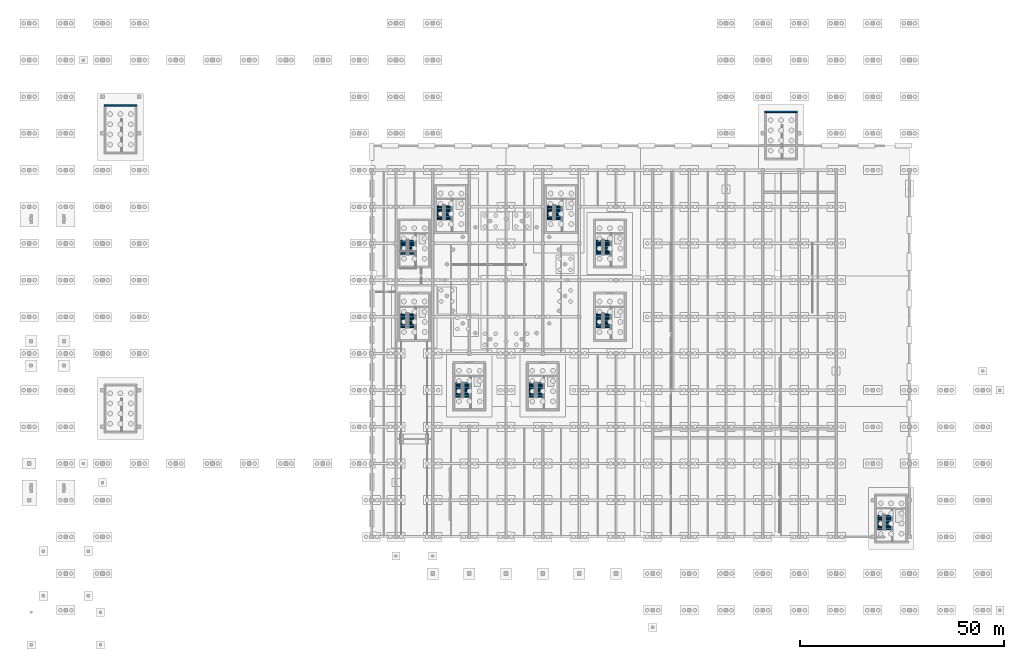
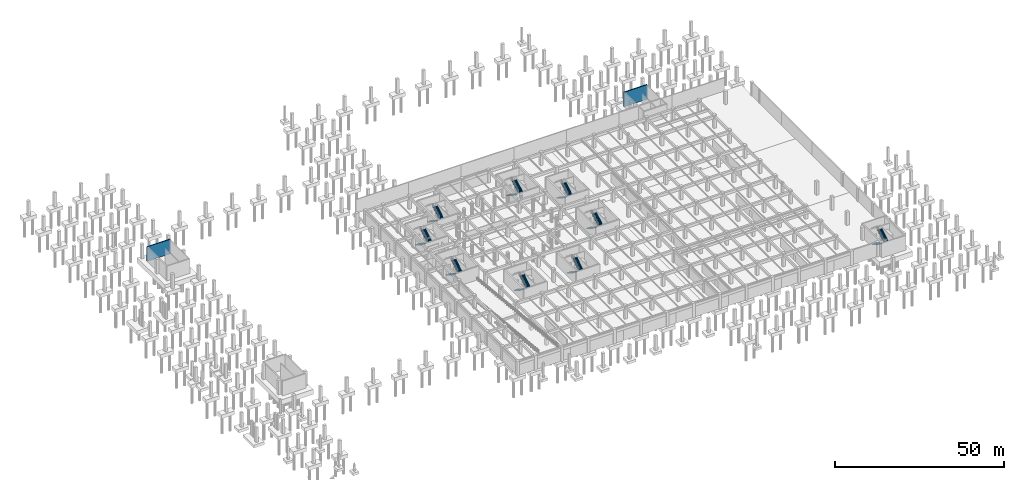
# One storey, part 22 of 27: 18 stair flights, 2 walls, 9 elements without a shape of their own.
"""IFC4 building model written with IfcOpenShell, lengths in metres."""

from ifc_helpers import new_model, si_unit, direction, frame, frame_2d, origin, place, context, subcontext, project, spatial, polyline, rectangle, outline, extrude, material, layer, layer_set, type_object, element, aggregate, save


model = new_model("IFC4")

# Units and contexts
model_context = context("Model", 3, precision=1e-05, world=origin(), true_north=direction((0.0, 1.0)))
body_context = subcontext(model_context, "Body", "Model", "MODEL_VIEW")
ifc_project = project(units=[si_unit("LENGTHUNIT", "METRE"), si_unit("AREAUNIT", "SQUARE_METRE"), si_unit("VOLUMEUNIT", "CUBIC_METRE"), si_unit("PLANEANGLEUNIT", "RADIAN"), si_unit("MASSUNIT", "GRAM", prefix="KILO")], contexts=[model_context])

# Site, building, storey
site_placement = place(None, origin())
site = spatial("IfcSite", under=ifc_project, at=site_placement, CompositionType="ELEMENT")
building_placement = place(site_placement, origin())
building = spatial("IfcBuilding", under=site, at=building_placement, Name="Dornveld Trade and Exhibition Forum", CompositionType="ELEMENT")
storey_placement = place(building_placement, frame((0.0, 0.0, -4.800048828125)))
storey = spatial("IfcBuildingStorey", under=building, at=storey_placement, Name="B1", CompositionType="ELEMENT", Elevation=-4.800048828125)

# Walls
ifc_material_1 = material(Name="Concrete C40/50", Category="concrete")
ifc_layer_1 = layer(ifc_material_1, 0.35009765625)
ifc_layer_set_1 = layer_set([ifc_layer_1], Name="Concrete C40/50")
wall_type = type_object("IfcWallType", Name="WL-CORE-350", PredefinedType="SHEAR", material=ifc_layer_set_1)
wall_1_placement = place(storey_placement, frame((18.425048828125, 123.800048828125, -0.449951171875), z_axis=(0.0, 0.0, 1.0), x_axis=(1.0, 0.0, 0.0)))
element("IfcWall", 1, at=wall_1_placement, inside=storey, type_object=wall_type, Name="CORE-10 B1 shear wall N", PredefinedType="SHEAR", context=body_context, shape_type="SweptSolid", body=[
    extrude(rectangle(XDim=7.949951171875, YDim=0.35009765625, at=frame_2d((3.97509765625, 0.0))), origin(), (0.0, 0.0, 1.0), 5.25),
])
wall_2_placement = place(storey_placement, frame((180.52490234375, 122.300048828125, -0.449951171875), z_axis=(0.0, 0.0, 1.0), x_axis=(1.0, 0.0, 0.0)))
element("IfcWall", 2, at=wall_2_placement, inside=storey, type_object=wall_type, Name="CORE-12 B1 shear wall N", PredefinedType="SHEAR", context=body_context, shape_type="SweptSolid", body=[
    extrude(rectangle(XDim=7.9501953125, YDim=0.35009765625, at=frame_2d((3.97509765625, 0.0))), origin(), (0.0, 0.0, 1.0), 5.25),
])

# Stair, stair flights
ifc_material_2 = material(Name="Concrete C40/50", Category="concrete")
stair_type_1 = type_object("IfcStairType", Name="ST-2RET-480A", PredefinedType="HALF_TURN_STAIR", material=ifc_material_2)
stair_1_placement = place(storey_placement, origin())
stair_1 = element("IfcStair", 3, at=stair_1_placement, inside=storey, type_object=stair_type_1, Name="CORE-01 escape stair B1 to L00", PredefinedType="HALF_TURN_STAIR")
ifc_material_3 = material(Name="Concrete C40/50", Category="concrete")
ifc_layer_2 = layer(ifc_material_3, 0.179931640625)
ifc_layer_set_2 = layer_set([ifc_layer_2], Name="Concrete C40/50")
stair_flight_type_1 = type_object("IfcStairFlightType", Name="STF-155", PredefinedType="STRAIGHT", material=ifc_layer_set_2)
stair_flight_1_placement = place(storey_placement, frame((139.8798828125, 90.85009765625, 0.0), z_axis=(0.0, 0.0, 1.0), x_axis=(0.0, -1.0, 0.0)))
stair_flight_1 = element("IfcStairFlight", 4, at=stair_flight_1_placement, type_object=stair_flight_type_1, Name="ST-01-B1 flight 1", NumberOfRisers=14, NumberOfTreads=13, PredefinedType="STRAIGHT", RiserHeight=0.171428571, TreadLength=0.28, context=body_context, shape_type="SweptSolid", body=[
    extrude(outline(polyline([(0.0, 0.0), (0.0, 0.17138671875), (0.280029296875, 0.17138671875), (0.280029296875, 0.3427734375), (0.56005859375, 0.3427734375), (0.56005859375, 0.514404296875), (0.840087890625, 0.514404296875), (0.840087890625, 0.685791015625), (1.1201171875, 0.685791015625), (1.1201171875, 0.857177734375), (1.39990234375, 0.857177734375), (1.39990234375, 1.028564453125), (1.679931640625, 1.028564453125), (1.679931640625, 1.199951171875), (1.9599609375, 1.199951171875), (1.9599609375, 1.371337890625), (2.239990234375, 1.371337890625), (2.239990234375, 1.54296875), (2.52001953125, 1.54296875), (2.52001953125, 1.71435546875), (2.800048828125, 1.71435546875), (2.800048828125, 1.8857421875), (3.080078125, 1.8857421875), (3.080078125, 2.05712890625), (3.360107421875, 2.05712890625), (3.360107421875, 2.228515625), (3.639892578125, 2.228515625), (3.639892578125, 2.39990234375), (3.639892578125, 2.041015625), (0.30615234375, 0.0), (0.0, 0.0)])), frame((0.0, 0.77490234375, 0.0), z_axis=(0.0, -1.0, 0.0), x_axis=(1.0, 0.0, 0.0)), (0.0, 0.0, 1.0), 1.550048828125),
])
stair_flight_2_placement = place(storey_placement, frame((141.820068359375, 87.2099609375, 2.400146484375), z_axis=(0.0, 0.0, 1.0), x_axis=(0.0, 1.0, 0.0)))
stair_flight_2 = element("IfcStairFlight", 5, at=stair_flight_2_placement, type_object=stair_flight_type_1, Name="ST-01-B1 flight 2", NumberOfRisers=14, NumberOfTreads=13, PredefinedType="STRAIGHT", RiserHeight=0.171428571, TreadLength=0.28, context=body_context, shape_type="SweptSolid", body=[
    extrude(outline(polyline([(0.0, 0.0), (0.0, 0.17138671875), (0.280029296875, 0.17138671875), (0.280029296875, 0.3427734375), (0.56005859375, 0.3427734375), (0.56005859375, 0.514404296875), (0.840087890625, 0.514404296875), (0.840087890625, 0.685791015625), (1.1201171875, 0.685791015625), (1.1201171875, 0.857177734375), (1.39990234375, 0.857177734375), (1.39990234375, 1.028564453125), (1.679931640625, 1.028564453125), (1.679931640625, 1.199951171875), (1.9599609375, 1.199951171875), (1.9599609375, 1.371337890625), (2.239990234375, 1.371337890625), (2.239990234375, 1.54296875), (2.52001953125, 1.54296875), (2.52001953125, 1.71435546875), (2.800048828125, 1.71435546875), (2.800048828125, 1.8857421875), (3.080078125, 1.8857421875), (3.080078125, 2.05712890625), (3.360107421875, 2.05712890625), (3.360107421875, 2.228515625), (3.639892578125, 2.228515625), (3.639892578125, 2.39990234375), (3.639892578125, 2.041015625), (0.30615234375, 0.0), (0.0, 0.0)])), frame((0.0, 0.77490234375, 0.0), z_axis=(0.0, -1.0, 0.0), x_axis=(1.0, 0.0, 0.0)), (0.0, 0.0, 1.0), 1.550048828125),
])
aggregate(stair_1, [stair_flight_1, stair_flight_2])

stair_2_placement = place(storey_placement, origin())
stair_2 = element("IfcStair", 6, at=stair_2_placement, inside=storey, type_object=stair_type_1, Name="CORE-03 escape stair B1 to L00", PredefinedType="HALF_TURN_STAIR")
stair_flight_3_placement = place(storey_placement, frame((100.8798828125, 99.35009765625, 0.0), z_axis=(0.0, 0.0, 1.0), x_axis=(0.0, -1.0, 0.0)))
stair_flight_3 = element("IfcStairFlight", 7, at=stair_flight_3_placement, type_object=stair_flight_type_1, Name="ST-03-B1 flight 1", NumberOfRisers=14, NumberOfTreads=13, PredefinedType="STRAIGHT", RiserHeight=0.171428571, TreadLength=0.28, context=body_context, shape_type="SweptSolid", body=[
    extrude(outline(polyline([(0.0, 0.0), (0.0, 0.17138671875), (0.280029296875, 0.17138671875), (0.280029296875, 0.3427734375), (0.56005859375, 0.3427734375), (0.56005859375, 0.514404296875), (0.840087890625, 0.514404296875), (0.840087890625, 0.685791015625), (1.1201171875, 0.685791015625), (1.1201171875, 0.857177734375), (1.39990234375, 0.857177734375), (1.39990234375, 1.028564453125), (1.679931640625, 1.028564453125), (1.679931640625, 1.199951171875), (1.9599609375, 1.199951171875), (1.9599609375, 1.371337890625), (2.239990234375, 1.371337890625), (2.239990234375, 1.54296875), (2.52001953125, 1.54296875), (2.52001953125, 1.71435546875), (2.800048828125, 1.71435546875), (2.800048828125, 1.8857421875), (3.080078125, 1.8857421875), (3.080078125, 2.05712890625), (3.360107421875, 2.05712890625), (3.360107421875, 2.228515625), (3.639892578125, 2.228515625), (3.639892578125, 2.39990234375), (3.639892578125, 2.041015625), (0.30615234375, 0.0), (0.0, 0.0)])), frame((0.0, 0.77490234375, 0.0), z_axis=(0.0, -1.0, 0.0), x_axis=(1.0, 0.0, 0.0)), (0.0, 0.0, 1.0), 1.550048828125),
])
stair_flight_4_placement = place(storey_placement, frame((102.820068359375, 95.7099609375, 2.400146484375), z_axis=(0.0, 0.0, 1.0), x_axis=(0.0, 1.0, 0.0)))
stair_flight_4 = element("IfcStairFlight", 8, at=stair_flight_4_placement, type_object=stair_flight_type_1, Name="ST-03-B1 flight 2", NumberOfRisers=14, NumberOfTreads=13, PredefinedType="STRAIGHT", RiserHeight=0.171428571, TreadLength=0.28, context=body_context, shape_type="SweptSolid", body=[
    extrude(outline(polyline([(0.0, 0.0), (0.0, 0.17138671875), (0.280029296875, 0.17138671875), (0.280029296875, 0.3427734375), (0.56005859375, 0.3427734375), (0.56005859375, 0.514404296875), (0.840087890625, 0.514404296875), (0.840087890625, 0.685791015625), (1.1201171875, 0.685791015625), (1.1201171875, 0.857177734375), (1.39990234375, 0.857177734375), (1.39990234375, 1.028564453125), (1.679931640625, 1.028564453125), (1.679931640625, 1.199951171875), (1.9599609375, 1.199951171875), (1.9599609375, 1.371337890625), (2.239990234375, 1.371337890625), (2.239990234375, 1.54296875), (2.52001953125, 1.54296875), (2.52001953125, 1.71435546875), (2.800048828125, 1.71435546875), (2.800048828125, 1.8857421875), (3.080078125, 1.8857421875), (3.080078125, 2.05712890625), (3.360107421875, 2.05712890625), (3.360107421875, 2.228515625), (3.639892578125, 2.228515625), (3.639892578125, 2.39990234375), (3.639892578125, 2.041015625), (0.30615234375, 0.0), (0.0, 0.0)])), frame((0.0, 0.77490234375, 0.0), z_axis=(0.0, -1.0, 0.0), x_axis=(1.0, 0.0, 0.0)), (0.0, 0.0, 1.0), 1.550048828125),
])
aggregate(stair_2, [stair_flight_3, stair_flight_4])

stair_3_placement = place(storey_placement, origin())
stair_3 = element("IfcStair", 9, at=stair_3_placement, inside=storey, type_object=stair_type_1, Name="CORE-05 escape stair B1 to L00", PredefinedType="HALF_TURN_STAIR")
stair_flight_5_placement = place(storey_placement, frame((91.8798828125, 72.85009765625, 0.0), z_axis=(0.0, 0.0, 1.0), x_axis=(0.0, -1.0, 0.0)))
stair_flight_5 = element("IfcStairFlight", 10, at=stair_flight_5_placement, type_object=stair_flight_type_1, Name="ST-05-B1 flight 1", NumberOfRisers=14, NumberOfTreads=13, PredefinedType="STRAIGHT", RiserHeight=0.171428571, TreadLength=0.28, context=body_context, shape_type="SweptSolid", body=[
    extrude(outline(polyline([(0.0, 0.0), (0.0, 0.17138671875), (0.280029296875, 0.17138671875), (0.280029296875, 0.3427734375), (0.56005859375, 0.3427734375), (0.56005859375, 0.514404296875), (0.840087890625, 0.514404296875), (0.840087890625, 0.685791015625), (1.1201171875, 0.685791015625), (1.1201171875, 0.857177734375), (1.39990234375, 0.857177734375), (1.39990234375, 1.028564453125), (1.679931640625, 1.028564453125), (1.679931640625, 1.199951171875), (1.9599609375, 1.199951171875), (1.9599609375, 1.371337890625), (2.239990234375, 1.371337890625), (2.239990234375, 1.54296875), (2.52001953125, 1.54296875), (2.52001953125, 1.71435546875), (2.800048828125, 1.71435546875), (2.800048828125, 1.8857421875), (3.080078125, 1.8857421875), (3.080078125, 2.05712890625), (3.360107421875, 2.05712890625), (3.360107421875, 2.228515625), (3.639892578125, 2.228515625), (3.639892578125, 2.39990234375), (3.639892578125, 2.041015625), (0.30615234375, 0.0), (0.0, 0.0)])), frame((0.0, 0.77490234375, 0.0), z_axis=(0.0, -1.0, 0.0), x_axis=(1.0, 0.0, 0.0)), (0.0, 0.0, 1.0), 1.550048828125),
])
stair_flight_6_placement = place(storey_placement, frame((93.820068359375, 69.2099609375, 2.400146484375), z_axis=(0.0, 0.0, 1.0), x_axis=(0.0, 1.0, 0.0)))
stair_flight_6 = element("IfcStairFlight", 11, at=stair_flight_6_placement, type_object=stair_flight_type_1, Name="ST-05-B1 flight 2", NumberOfRisers=14, NumberOfTreads=13, PredefinedType="STRAIGHT", RiserHeight=0.171428571, TreadLength=0.28, context=body_context, shape_type="SweptSolid", body=[
    extrude(outline(polyline([(0.0, 0.0), (0.0, 0.17138671875), (0.280029296875, 0.17138671875), (0.280029296875, 0.3427734375), (0.56005859375, 0.3427734375), (0.56005859375, 0.514404296875), (0.840087890625, 0.514404296875), (0.840087890625, 0.685791015625), (1.1201171875, 0.685791015625), (1.1201171875, 0.857177734375), (1.39990234375, 0.857177734375), (1.39990234375, 1.028564453125), (1.679931640625, 1.028564453125), (1.679931640625, 1.199951171875), (1.9599609375, 1.199951171875), (1.9599609375, 1.371337890625), (2.239990234375, 1.371337890625), (2.239990234375, 1.54296875), (2.52001953125, 1.54296875), (2.52001953125, 1.71435546875), (2.800048828125, 1.71435546875), (2.800048828125, 1.8857421875), (3.080078125, 1.8857421875), (3.080078125, 2.05712890625), (3.360107421875, 2.05712890625), (3.360107421875, 2.228515625), (3.639892578125, 2.228515625), (3.639892578125, 2.39990234375), (3.639892578125, 2.041015625), (0.30615234375, 0.0), (0.0, 0.0)])), frame((0.0, 0.77490234375, 0.0), z_axis=(0.0, -1.0, 0.0), x_axis=(1.0, 0.0, 0.0)), (0.0, 0.0, 1.0), 1.550048828125),
])
aggregate(stair_3, [stair_flight_5, stair_flight_6])

stair_4_placement = place(storey_placement, origin())
stair_4 = element("IfcStair", 12, at=stair_4_placement, inside=storey, type_object=stair_type_1, Name="CORE-07 escape stair B1 to L00", PredefinedType="HALF_TURN_STAIR")
stair_flight_7_placement = place(storey_placement, frame((123.3798828125, 55.85009765625, 0.0), z_axis=(0.0, 0.0, 1.0), x_axis=(0.0, -1.0, 0.0)))
stair_flight_7 = element("IfcStairFlight", 13, at=stair_flight_7_placement, type_object=stair_flight_type_1, Name="ST-07-B1 flight 1", NumberOfRisers=14, NumberOfTreads=13, PredefinedType="STRAIGHT", RiserHeight=0.171428571, TreadLength=0.28, context=body_context, shape_type="SweptSolid", body=[
    extrude(outline(polyline([(0.0, 0.0), (0.0, 0.17138671875), (0.280029296875, 0.17138671875), (0.280029296875, 0.3427734375), (0.56005859375, 0.3427734375), (0.56005859375, 0.514404296875), (0.840087890625, 0.514404296875), (0.840087890625, 0.685791015625), (1.1201171875, 0.685791015625), (1.1201171875, 0.857177734375), (1.39990234375, 0.857177734375), (1.39990234375, 1.028564453125), (1.679931640625, 1.028564453125), (1.679931640625, 1.199951171875), (1.9599609375, 1.199951171875), (1.9599609375, 1.371337890625), (2.239990234375, 1.371337890625), (2.239990234375, 1.54296875), (2.52001953125, 1.54296875), (2.52001953125, 1.71435546875), (2.800048828125, 1.71435546875), (2.800048828125, 1.8857421875), (3.080078125, 1.8857421875), (3.080078125, 2.05712890625), (3.360107421875, 2.05712890625), (3.360107421875, 2.228515625), (3.639892578125, 2.228515625), (3.639892578125, 2.39990234375), (3.639892578125, 2.041015625), (0.30615234375, 0.0), (0.0, 0.0)])), frame((0.0, 0.77490234375, 0.0), z_axis=(0.0, -1.0, 0.0), x_axis=(1.0, 0.0, 0.0)), (0.0, 0.0, 1.0), 1.550048828125),
])
stair_flight_8_placement = place(storey_placement, frame((125.320068359375, 52.2099609375, 2.400146484375), z_axis=(0.0, 0.0, 1.0), x_axis=(0.0, 1.0, 0.0)))
stair_flight_8 = element("IfcStairFlight", 14, at=stair_flight_8_placement, type_object=stair_flight_type_1, Name="ST-07-B1 flight 2", NumberOfRisers=14, NumberOfTreads=13, PredefinedType="STRAIGHT", RiserHeight=0.171428571, TreadLength=0.28, context=body_context, shape_type="SweptSolid", body=[
    extrude(outline(polyline([(0.0, 0.0), (0.0, 0.17138671875), (0.280029296875, 0.17138671875), (0.280029296875, 0.3427734375), (0.56005859375, 0.3427734375), (0.56005859375, 0.514404296875), (0.840087890625, 0.514404296875), (0.840087890625, 0.685791015625), (1.1201171875, 0.685791015625), (1.1201171875, 0.857177734375), (1.39990234375, 0.857177734375), (1.39990234375, 1.028564453125), (1.679931640625, 1.028564453125), (1.679931640625, 1.199951171875), (1.9599609375, 1.199951171875), (1.9599609375, 1.371337890625), (2.239990234375, 1.371337890625), (2.239990234375, 1.54296875), (2.52001953125, 1.54296875), (2.52001953125, 1.71435546875), (2.800048828125, 1.71435546875), (2.800048828125, 1.8857421875), (3.080078125, 1.8857421875), (3.080078125, 2.05712890625), (3.360107421875, 2.05712890625), (3.360107421875, 2.228515625), (3.639892578125, 2.228515625), (3.639892578125, 2.39990234375), (3.639892578125, 2.041015625), (0.30615234375, 0.0), (0.0, 0.0)])), frame((0.0, 0.77490234375, 0.0), z_axis=(0.0, -1.0, 0.0), x_axis=(1.0, 0.0, 0.0)), (0.0, 0.0, 1.0), 1.550048828125),
])
aggregate(stair_4, [stair_flight_7, stair_flight_8])

stair_5_placement = place(storey_placement, origin())
stair_5 = element("IfcStair", 15, at=stair_5_placement, inside=storey, type_object=stair_type_1, Name="CORE-11 escape stair B1 to L00", PredefinedType="HALF_TURN_STAIR")
stair_flight_9_placement = place(storey_placement, frame((208.8798828125, 23.35009765625, 0.0), z_axis=(0.0, 0.0, 1.0), x_axis=(0.0, -1.0, 0.0)))
stair_flight_9 = element("IfcStairFlight", 16, at=stair_flight_9_placement, type_object=stair_flight_type_1, Name="ST-11-B1 flight 1", NumberOfRisers=14, NumberOfTreads=13, PredefinedType="STRAIGHT", RiserHeight=0.171428571, TreadLength=0.28, context=body_context, shape_type="SweptSolid", body=[
    extrude(outline(polyline([(0.0, 0.0), (0.0, 0.17138671875), (0.280029296875, 0.17138671875), (0.280029296875, 0.3427734375), (0.56005859375, 0.3427734375), (0.56005859375, 0.514404296875), (0.840087890625, 0.514404296875), (0.840087890625, 0.685791015625), (1.1201171875, 0.685791015625), (1.1201171875, 0.857177734375), (1.39990234375, 0.857177734375), (1.39990234375, 1.028564453125), (1.679931640625, 1.028564453125), (1.679931640625, 1.199951171875), (1.9599609375, 1.199951171875), (1.9599609375, 1.371337890625), (2.239990234375, 1.371337890625), (2.239990234375, 1.54296875), (2.52001953125, 1.54296875), (2.52001953125, 1.71435546875), (2.800048828125, 1.71435546875), (2.800048828125, 1.8857421875), (3.080078125, 1.8857421875), (3.080078125, 2.05712890625), (3.360107421875, 2.05712890625), (3.360107421875, 2.228515625), (3.639892578125, 2.228515625), (3.639892578125, 2.39990234375), (3.639892578125, 2.041015625), (0.30615234375, 0.0), (0.0, 0.0)])), frame((0.0, 0.77490234375, 0.0), z_axis=(0.0, -1.0, 0.0), x_axis=(1.0, 0.0, 0.0)), (0.0, 0.0, 1.0), 1.550048828125),
])
stair_flight_10_placement = place(storey_placement, frame((210.820068359375, 19.7099609375, 2.400146484375), z_axis=(0.0, 0.0, 1.0), x_axis=(0.0, 1.0, 0.0)))
stair_flight_10 = element("IfcStairFlight", 17, at=stair_flight_10_placement, type_object=stair_flight_type_1, Name="ST-11-B1 flight 2", NumberOfRisers=14, NumberOfTreads=13, PredefinedType="STRAIGHT", RiserHeight=0.171428571, TreadLength=0.28, context=body_context, shape_type="SweptSolid", body=[
    extrude(outline(polyline([(0.0, 0.0), (0.0, 0.17138671875), (0.280029296875, 0.17138671875), (0.280029296875, 0.3427734375), (0.56005859375, 0.3427734375), (0.56005859375, 0.514404296875), (0.840087890625, 0.514404296875), (0.840087890625, 0.685791015625), (1.1201171875, 0.685791015625), (1.1201171875, 0.857177734375), (1.39990234375, 0.857177734375), (1.39990234375, 1.028564453125), (1.679931640625, 1.028564453125), (1.679931640625, 1.199951171875), (1.9599609375, 1.199951171875), (1.9599609375, 1.371337890625), (2.239990234375, 1.371337890625), (2.239990234375, 1.54296875), (2.52001953125, 1.54296875), (2.52001953125, 1.71435546875), (2.800048828125, 1.71435546875), (2.800048828125, 1.8857421875), (3.080078125, 1.8857421875), (3.080078125, 2.05712890625), (3.360107421875, 2.05712890625), (3.360107421875, 2.228515625), (3.639892578125, 2.228515625), (3.639892578125, 2.39990234375), (3.639892578125, 2.041015625), (0.30615234375, 0.0), (0.0, 0.0)])), frame((0.0, 0.77490234375, 0.0), z_axis=(0.0, -1.0, 0.0), x_axis=(1.0, 0.0, 0.0)), (0.0, 0.0, 1.0), 1.550048828125),
])
aggregate(stair_5, [stair_flight_9, stair_flight_10])

ifc_material_4 = material(Name="Concrete C40/50", Category="concrete")
stair_type_2 = type_object("IfcStairType", Name="ST-2RET-480B", PredefinedType="HALF_TURN_STAIR", material=ifc_material_4)
stair_6_placement = place(storey_placement, origin())
stair_6 = element("IfcStair", 18, at=stair_6_placement, inside=storey, type_object=stair_type_2, Name="CORE-02 escape stair B1 to L00", PredefinedType="HALF_TURN_STAIR")
ifc_material_5 = material(Name="Concrete C40/50", Category="concrete")
ifc_layer_3 = layer(ifc_material_5, 0.179931640625)
ifc_layer_set_3 = layer_set([ifc_layer_3], Name="Concrete C40/50")
stair_flight_type_2 = type_object("IfcStairFlightType", Name="STF-162", PredefinedType="STRAIGHT", material=ifc_layer_set_3)
stair_flight_11_placement = place(storey_placement, frame((127.8798828125, 99.35009765625, 0.0), z_axis=(0.0, 0.0, 1.0), x_axis=(0.0, -1.0, 0.0)))
stair_flight_11 = element("IfcStairFlight", 19, at=stair_flight_11_placement, type_object=stair_flight_type_2, Name="ST-02-B1 flight 1", NumberOfRisers=14, NumberOfTreads=13, PredefinedType="STRAIGHT", RiserHeight=0.171428571, TreadLength=0.28, context=body_context, shape_type="SweptSolid", body=[
    extrude(outline(polyline([(0.0, 0.0), (0.0, 0.17138671875), (0.280029296875, 0.17138671875), (0.280029296875, 0.3427734375), (0.56005859375, 0.3427734375), (0.56005859375, 0.514404296875), (0.840087890625, 0.514404296875), (0.840087890625, 0.685791015625), (1.1201171875, 0.685791015625), (1.1201171875, 0.857177734375), (1.39990234375, 0.857177734375), (1.39990234375, 1.028564453125), (1.679931640625, 1.028564453125), (1.679931640625, 1.199951171875), (1.9599609375, 1.199951171875), (1.9599609375, 1.371337890625), (2.239990234375, 1.371337890625), (2.239990234375, 1.54296875), (2.52001953125, 1.54296875), (2.52001953125, 1.71435546875), (2.800048828125, 1.71435546875), (2.800048828125, 1.8857421875), (3.080078125, 1.8857421875), (3.080078125, 2.05712890625), (3.360107421875, 2.05712890625), (3.360107421875, 2.228515625), (3.639892578125, 2.228515625), (3.639892578125, 2.39990234375), (3.639892578125, 2.041015625), (0.30615234375, 0.0), (0.0, 0.0)])), frame((0.0, 0.81005859375, 0.0), z_axis=(0.0, -1.0, 0.0), x_axis=(1.0, 0.0, 0.0)), (0.0, 0.0, 1.0), 1.6201171875),
])
stair_flight_12_placement = place(storey_placement, frame((129.820068359375, 95.7099609375, 2.400146484375), z_axis=(0.0, 0.0, 1.0), x_axis=(0.0, 1.0, 0.0)))
stair_flight_12 = element("IfcStairFlight", 20, at=stair_flight_12_placement, type_object=stair_flight_type_2, Name="ST-02-B1 flight 2", NumberOfRisers=14, NumberOfTreads=13, PredefinedType="STRAIGHT", RiserHeight=0.171428571, TreadLength=0.28, context=body_context, shape_type="SweptSolid", body=[
    extrude(outline(polyline([(0.0, 0.0), (0.0, 0.17138671875), (0.280029296875, 0.17138671875), (0.280029296875, 0.3427734375), (0.56005859375, 0.3427734375), (0.56005859375, 0.514404296875), (0.840087890625, 0.514404296875), (0.840087890625, 0.685791015625), (1.1201171875, 0.685791015625), (1.1201171875, 0.857177734375), (1.39990234375, 0.857177734375), (1.39990234375, 1.028564453125), (1.679931640625, 1.028564453125), (1.679931640625, 1.199951171875), (1.9599609375, 1.199951171875), (1.9599609375, 1.371337890625), (2.239990234375, 1.371337890625), (2.239990234375, 1.54296875), (2.52001953125, 1.54296875), (2.52001953125, 1.71435546875), (2.800048828125, 1.71435546875), (2.800048828125, 1.8857421875), (3.080078125, 1.8857421875), (3.080078125, 2.05712890625), (3.360107421875, 2.05712890625), (3.360107421875, 2.228515625), (3.639892578125, 2.228515625), (3.639892578125, 2.39990234375), (3.639892578125, 2.041015625), (0.30615234375, 0.0), (0.0, 0.0)])), frame((0.0, 0.81005859375, 0.0), z_axis=(0.0, -1.0, 0.0), x_axis=(1.0, 0.0, 0.0)), (0.0, 0.0, 1.0), 1.6201171875),
])
aggregate(stair_6, [stair_flight_11, stair_flight_12])

stair_7_placement = place(storey_placement, origin())
stair_7 = element("IfcStair", 21, at=stair_7_placement, inside=storey, type_object=stair_type_2, Name="CORE-04 escape stair B1 to L00", PredefinedType="HALF_TURN_STAIR")
stair_flight_13_placement = place(storey_placement, frame((91.8798828125, 90.85009765625, 0.0), z_axis=(0.0, 0.0, 1.0), x_axis=(0.0, -1.0, 0.0)))
stair_flight_13 = element("IfcStairFlight", 22, at=stair_flight_13_placement, type_object=stair_flight_type_2, Name="ST-04-B1 flight 1", NumberOfRisers=14, NumberOfTreads=13, PredefinedType="STRAIGHT", RiserHeight=0.171428571, TreadLength=0.28, context=body_context, shape_type="SweptSolid", body=[
    extrude(outline(polyline([(0.0, 0.0), (0.0, 0.17138671875), (0.280029296875, 0.17138671875), (0.280029296875, 0.3427734375), (0.56005859375, 0.3427734375), (0.56005859375, 0.514404296875), (0.840087890625, 0.514404296875), (0.840087890625, 0.685791015625), (1.1201171875, 0.685791015625), (1.1201171875, 0.857177734375), (1.39990234375, 0.857177734375), (1.39990234375, 1.028564453125), (1.679931640625, 1.028564453125), (1.679931640625, 1.199951171875), (1.9599609375, 1.199951171875), (1.9599609375, 1.371337890625), (2.239990234375, 1.371337890625), (2.239990234375, 1.54296875), (2.52001953125, 1.54296875), (2.52001953125, 1.71435546875), (2.800048828125, 1.71435546875), (2.800048828125, 1.8857421875), (3.080078125, 1.8857421875), (3.080078125, 2.05712890625), (3.360107421875, 2.05712890625), (3.360107421875, 2.228515625), (3.639892578125, 2.228515625), (3.639892578125, 2.39990234375), (3.639892578125, 2.041015625), (0.30615234375, 0.0), (0.0, 0.0)])), frame((0.0, 0.81005859375, 0.0), z_axis=(0.0, -1.0, 0.0), x_axis=(1.0, 0.0, 0.0)), (0.0, 0.0, 1.0), 1.6201171875),
])
stair_flight_14_placement = place(storey_placement, frame((93.820068359375, 87.2099609375, 2.400146484375), z_axis=(0.0, 0.0, 1.0), x_axis=(0.0, 1.0, 0.0)))
stair_flight_14 = element("IfcStairFlight", 23, at=stair_flight_14_placement, type_object=stair_flight_type_2, Name="ST-04-B1 flight 2", NumberOfRisers=14, NumberOfTreads=13, PredefinedType="STRAIGHT", RiserHeight=0.171428571, TreadLength=0.28, context=body_context, shape_type="SweptSolid", body=[
    extrude(outline(polyline([(0.0, 0.0), (0.0, 0.17138671875), (0.280029296875, 0.17138671875), (0.280029296875, 0.3427734375), (0.56005859375, 0.3427734375), (0.56005859375, 0.514404296875), (0.840087890625, 0.514404296875), (0.840087890625, 0.685791015625), (1.1201171875, 0.685791015625), (1.1201171875, 0.857177734375), (1.39990234375, 0.857177734375), (1.39990234375, 1.028564453125), (1.679931640625, 1.028564453125), (1.679931640625, 1.199951171875), (1.9599609375, 1.199951171875), (1.9599609375, 1.371337890625), (2.239990234375, 1.371337890625), (2.239990234375, 1.54296875), (2.52001953125, 1.54296875), (2.52001953125, 1.71435546875), (2.800048828125, 1.71435546875), (2.800048828125, 1.8857421875), (3.080078125, 1.8857421875), (3.080078125, 2.05712890625), (3.360107421875, 2.05712890625), (3.360107421875, 2.228515625), (3.639892578125, 2.228515625), (3.639892578125, 2.39990234375), (3.639892578125, 2.041015625), (0.30615234375, 0.0), (0.0, 0.0)])), frame((0.0, 0.81005859375, 0.0), z_axis=(0.0, -1.0, 0.0), x_axis=(1.0, 0.0, 0.0)), (0.0, 0.0, 1.0), 1.6201171875),
])
aggregate(stair_7, [stair_flight_13, stair_flight_14])

stair_8_placement = place(storey_placement, origin())
stair_8 = element("IfcStair", 24, at=stair_8_placement, inside=storey, type_object=stair_type_2, Name="CORE-06 escape stair B1 to L00", PredefinedType="HALF_TURN_STAIR")
stair_flight_15_placement = place(storey_placement, frame((105.3798828125, 55.85009765625, 0.0), z_axis=(0.0, 0.0, 1.0), x_axis=(0.0, -1.0, 0.0)))
stair_flight_15 = element("IfcStairFlight", 25, at=stair_flight_15_placement, type_object=stair_flight_type_2, Name="ST-06-B1 flight 1", NumberOfRisers=14, NumberOfTreads=13, PredefinedType="STRAIGHT", RiserHeight=0.171428571, TreadLength=0.28, context=body_context, shape_type="SweptSolid", body=[
    extrude(outline(polyline([(0.0, 0.0), (0.0, 0.17138671875), (0.280029296875, 0.17138671875), (0.280029296875, 0.3427734375), (0.56005859375, 0.3427734375), (0.56005859375, 0.514404296875), (0.840087890625, 0.514404296875), (0.840087890625, 0.685791015625), (1.1201171875, 0.685791015625), (1.1201171875, 0.857177734375), (1.39990234375, 0.857177734375), (1.39990234375, 1.028564453125), (1.679931640625, 1.028564453125), (1.679931640625, 1.199951171875), (1.9599609375, 1.199951171875), (1.9599609375, 1.371337890625), (2.239990234375, 1.371337890625), (2.239990234375, 1.54296875), (2.52001953125, 1.54296875), (2.52001953125, 1.71435546875), (2.800048828125, 1.71435546875), (2.800048828125, 1.8857421875), (3.080078125, 1.8857421875), (3.080078125, 2.05712890625), (3.360107421875, 2.05712890625), (3.360107421875, 2.228515625), (3.639892578125, 2.228515625), (3.639892578125, 2.39990234375), (3.639892578125, 2.041015625), (0.30615234375, 0.0), (0.0, 0.0)])), frame((0.0, 0.81005859375, 0.0), z_axis=(0.0, -1.0, 0.0), x_axis=(1.0, 0.0, 0.0)), (0.0, 0.0, 1.0), 1.6201171875),
])
stair_flight_16_placement = place(storey_placement, frame((107.320068359375, 52.2099609375, 2.400146484375), z_axis=(0.0, 0.0, 1.0), x_axis=(0.0, 1.0, 0.0)))
stair_flight_16 = element("IfcStairFlight", 26, at=stair_flight_16_placement, type_object=stair_flight_type_2, Name="ST-06-B1 flight 2", NumberOfRisers=14, NumberOfTreads=13, PredefinedType="STRAIGHT", RiserHeight=0.171428571, TreadLength=0.28, context=body_context, shape_type="SweptSolid", body=[
    extrude(outline(polyline([(0.0, 0.0), (0.0, 0.17138671875), (0.280029296875, 0.17138671875), (0.280029296875, 0.3427734375), (0.56005859375, 0.3427734375), (0.56005859375, 0.514404296875), (0.840087890625, 0.514404296875), (0.840087890625, 0.685791015625), (1.1201171875, 0.685791015625), (1.1201171875, 0.857177734375), (1.39990234375, 0.857177734375), (1.39990234375, 1.028564453125), (1.679931640625, 1.028564453125), (1.679931640625, 1.199951171875), (1.9599609375, 1.199951171875), (1.9599609375, 1.371337890625), (2.239990234375, 1.371337890625), (2.239990234375, 1.54296875), (2.52001953125, 1.54296875), (2.52001953125, 1.71435546875), (2.800048828125, 1.71435546875), (2.800048828125, 1.8857421875), (3.080078125, 1.8857421875), (3.080078125, 2.05712890625), (3.360107421875, 2.05712890625), (3.360107421875, 2.228515625), (3.639892578125, 2.228515625), (3.639892578125, 2.39990234375), (3.639892578125, 2.041015625), (0.30615234375, 0.0), (0.0, 0.0)])), frame((0.0, 0.81005859375, 0.0), z_axis=(0.0, -1.0, 0.0), x_axis=(1.0, 0.0, 0.0)), (0.0, 0.0, 1.0), 1.6201171875),
])
aggregate(stair_8, [stair_flight_15, stair_flight_16])

stair_9_placement = place(storey_placement, origin())
stair_9 = element("IfcStair", 27, at=stair_9_placement, inside=storey, type_object=stair_type_2, Name="CORE-08 escape stair B1 to L00", PredefinedType="HALF_TURN_STAIR")
stair_flight_17_placement = place(storey_placement, frame((139.8798828125, 72.85009765625, 0.0), z_axis=(0.0, 0.0, 1.0), x_axis=(0.0, -1.0, 0.0)))
stair_flight_17 = element("IfcStairFlight", 28, at=stair_flight_17_placement, type_object=stair_flight_type_2, Name="ST-08-B1 flight 1", NumberOfRisers=14, NumberOfTreads=13, PredefinedType="STRAIGHT", RiserHeight=0.171428571, TreadLength=0.28, context=body_context, shape_type="SweptSolid", body=[
    extrude(outline(polyline([(0.0, 0.0), (0.0, 0.17138671875), (0.280029296875, 0.17138671875), (0.280029296875, 0.3427734375), (0.56005859375, 0.3427734375), (0.56005859375, 0.514404296875), (0.840087890625, 0.514404296875), (0.840087890625, 0.685791015625), (1.1201171875, 0.685791015625), (1.1201171875, 0.857177734375), (1.39990234375, 0.857177734375), (1.39990234375, 1.028564453125), (1.679931640625, 1.028564453125), (1.679931640625, 1.199951171875), (1.9599609375, 1.199951171875), (1.9599609375, 1.371337890625), (2.239990234375, 1.371337890625), (2.239990234375, 1.54296875), (2.52001953125, 1.54296875), (2.52001953125, 1.71435546875), (2.800048828125, 1.71435546875), (2.800048828125, 1.8857421875), (3.080078125, 1.8857421875), (3.080078125, 2.05712890625), (3.360107421875, 2.05712890625), (3.360107421875, 2.228515625), (3.639892578125, 2.228515625), (3.639892578125, 2.39990234375), (3.639892578125, 2.041015625), (0.30615234375, 0.0), (0.0, 0.0)])), frame((0.0, 0.81005859375, 0.0), z_axis=(0.0, -1.0, 0.0), x_axis=(1.0, 0.0, 0.0)), (0.0, 0.0, 1.0), 1.6201171875),
])
stair_flight_18_placement = place(storey_placement, frame((141.820068359375, 69.2099609375, 2.400146484375), z_axis=(0.0, 0.0, 1.0), x_axis=(0.0, 1.0, 0.0)))
stair_flight_18 = element("IfcStairFlight", 29, at=stair_flight_18_placement, type_object=stair_flight_type_2, Name="ST-08-B1 flight 2", NumberOfRisers=14, NumberOfTreads=13, PredefinedType="STRAIGHT", RiserHeight=0.171428571, TreadLength=0.28, context=body_context, shape_type="SweptSolid", body=[
    extrude(outline(polyline([(0.0, 0.0), (0.0, 0.17138671875), (0.280029296875, 0.17138671875), (0.280029296875, 0.3427734375), (0.56005859375, 0.3427734375), (0.56005859375, 0.514404296875), (0.840087890625, 0.514404296875), (0.840087890625, 0.685791015625), (1.1201171875, 0.685791015625), (1.1201171875, 0.857177734375), (1.39990234375, 0.857177734375), (1.39990234375, 1.028564453125), (1.679931640625, 1.028564453125), (1.679931640625, 1.199951171875), (1.9599609375, 1.199951171875), (1.9599609375, 1.371337890625), (2.239990234375, 1.371337890625), (2.239990234375, 1.54296875), (2.52001953125, 1.54296875), (2.52001953125, 1.71435546875), (2.800048828125, 1.71435546875), (2.800048828125, 1.8857421875), (3.080078125, 1.8857421875), (3.080078125, 2.05712890625), (3.360107421875, 2.05712890625), (3.360107421875, 2.228515625), (3.639892578125, 2.228515625), (3.639892578125, 2.39990234375), (3.639892578125, 2.041015625), (0.30615234375, 0.0), (0.0, 0.0)])), frame((0.0, 0.81005859375, 0.0), z_axis=(0.0, -1.0, 0.0), x_axis=(1.0, 0.0, 0.0)), (0.0, 0.0, 1.0), 1.6201171875),
])
aggregate(stair_9, [stair_flight_17, stair_flight_18])

save(model, "model.ifc")
